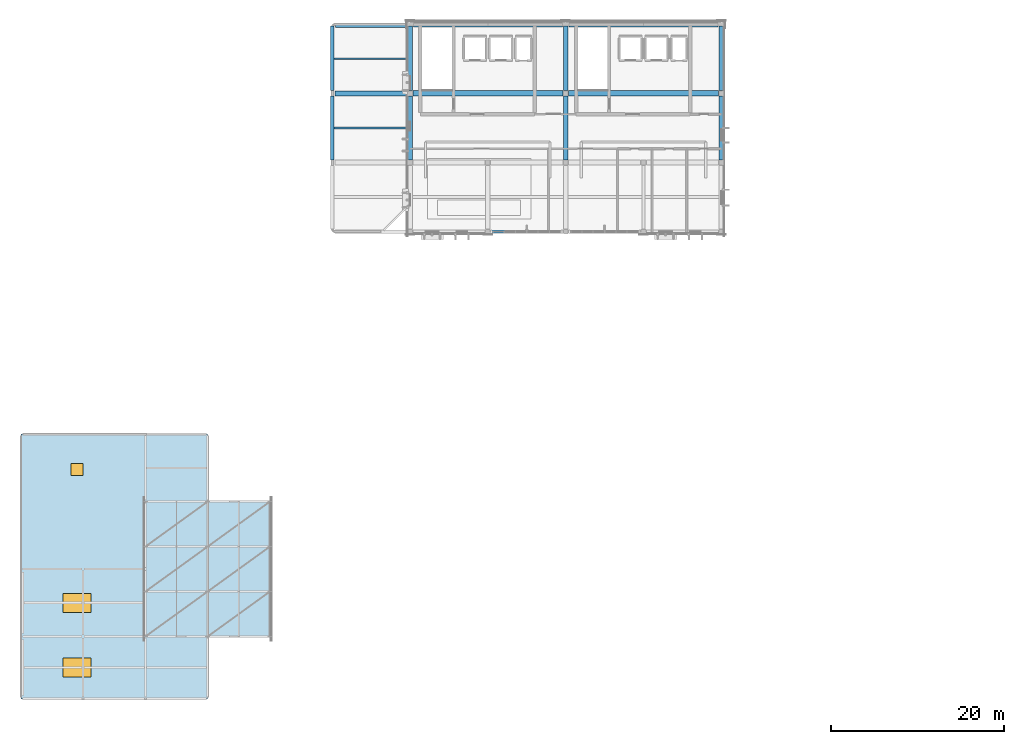
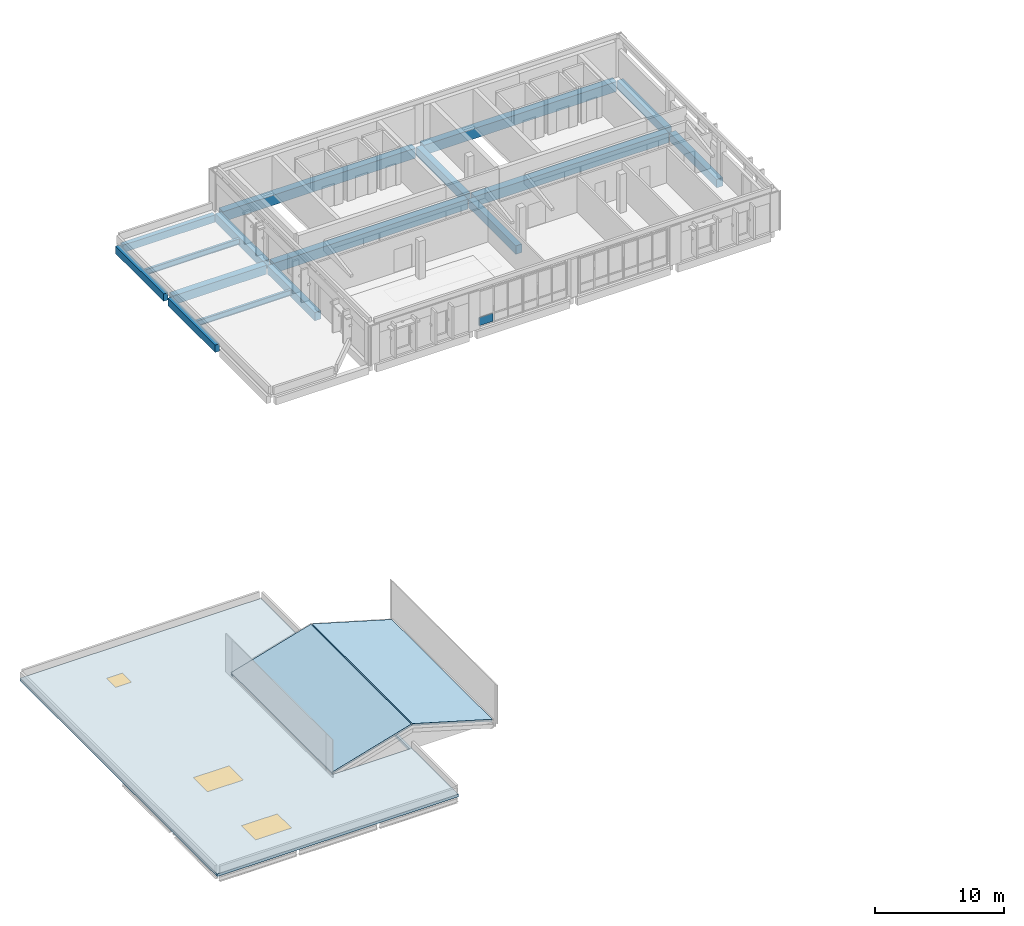
# One storey, part 3 of 12: 16 beams, 3 slabs, 3 windows, 1 plate, 3 openings, 1 element without a shape of its own.
"""IFC4 building model written with IfcOpenShell, lengths in metres."""

from ifc_helpers import new_model, si_unit, direction, frame, origin, origin_2d, place, context, subcontext, project, spatial, polyline, rectangle, i_section, outline, extrude, material, layer, layer_set, material_profile, profile_set, type_object, element, fill, aggregate, save


model = new_model("IFC4")

# Units and contexts
model_context = context("Model", 3, precision=1e-05, world=origin(), true_north=direction((0.0, 1.0)))
body_context = subcontext(model_context, "Body", "Model", "MODEL_VIEW")
ifc_project = project(units=[si_unit("LENGTHUNIT", "METRE"), si_unit("AREAUNIT", "SQUARE_METRE"), si_unit("VOLUMEUNIT", "CUBIC_METRE"), si_unit("PLANEANGLEUNIT", "RADIAN"), si_unit("MASSUNIT", "GRAM", prefix="KILO")], contexts=[model_context])

# Site, building, storey
site_placement = place(None, origin())
site = spatial("IfcSite", under=ifc_project, at=site_placement, CompositionType="ELEMENT")
building_placement = place(site_placement, origin())
building = spatial("IfcBuilding", under=site, at=building_placement, Name="Vervanel Yard Central Library", CompositionType="ELEMENT")
storey_placement = place(building_placement, frame((0.0, 0.0, 20.260009765625)))
storey = spatial("IfcBuildingStorey", under=building, at=storey_placement, Name="L05", CompositionType="ELEMENT", Elevation=20.260009765625)

# Beams
ifc_material_1 = material(Name="Concrete C45/55", Category="concrete")
ifc_material_profile_1 = material_profile(ifc_material_1, rectangle(XDim=0.64990234375, YDim=0.949951171875, at=origin_2d()), Name="RC 650x950", Category="concrete")
ifc_profile_set_1 = profile_set([ifc_material_profile_1], Name="Concrete C45/55")
beam_type_1 = type_object("IfcBeamType", Name="Concrete Heavy Stack Girder 650x950", PredefinedType="BEAM", material=ifc_profile_set_1)
for number, where, z_axis, x_axis, name in (
    (1, (45.324951171875, 106.0, -0.764892578125), (1.0, 0.0, 0.0), (0.0, 1.0, 0.0), "L05 Girder CB-04 Y=106.0 X=45.0-63.0"),
    (2, (63.324951171875, 106.0, -0.764892578125), (1.0, 0.0, 0.0), (0.0, 1.0, 0.0), "L05 Girder CB-04 Y=106.0 X=63.0-81.0"),
):
    element("IfcBeam", number, at=place(storey_placement, frame(where, z_axis=z_axis, x_axis=x_axis)), inside=storey, type_object=beam_type_1, Name=name, PredefinedType="BEAM", context=body_context, shape_type="SweptSolid", body=[
        extrude(rectangle(XDim=0.64990234375, YDim=0.949951171875, at=origin_2d()), origin(), (0.0, 0.0, 1.0), 17.35009765625),
    ])
for number, where, z_axis, x_axis, name in (
    (3, (45.375, 114.0, -0.764892578125), (1.0, 0.0, 0.0), (0.0, 1.0, 0.0), "L05 Girder CB-04 Y=114.0 X=45.0-63.0"),
    (4, (63.375, 114.0, -0.764892578125), (1.0, 0.0, 0.0), (0.0, 1.0, 0.0), "L05 Girder CB-04 Y=114.0 X=63.0-81.0"),
):
    element("IfcBeam", number, at=place(storey_placement, frame(where, z_axis=z_axis, x_axis=x_axis)), inside=storey, type_object=beam_type_1, Name=name, PredefinedType="BEAM", context=body_context, shape_type="SweptSolid", body=[
        extrude(rectangle(XDim=0.64990234375, YDim=0.949951171875, at=origin_2d()), origin(), (0.0, 0.0, 1.0), 17.25),
    ])
ifc_material_2 = material(Name="Concrete C40/50", Category="concrete")
ifc_material_profile_2 = material_profile(ifc_material_2, rectangle(XDim=0.39990234375, YDim=0.699951171875, at=origin_2d()), Name="RC 400x700", Category="concrete")
ifc_profile_set_2 = profile_set([ifc_material_profile_2], Name="Concrete C40/50")
beam_type_2 = type_object("IfcBeamType", Name="Concrete Perimeter Spandrel 400x700", PredefinedType="SPANDREL", material=ifc_profile_set_2)
beam_1_placement = place(storey_placement, frame((36.375, 113.800048828125, -0.60498046875), z_axis=(1.0, 0.0, 0.0), x_axis=(0.0, 1.0, 0.0)))
element("IfcBeam", 5, at=beam_1_placement, inside=storey, type_object=beam_type_2, Name="L05 Girder SP-01 Y=114.0 X=36.0-45.0", PredefinedType="SPANDREL", context=body_context, shape_type="SweptSolid", body=[
    extrude(rectangle(XDim=0.39990234375, YDim=0.699951171875, at=origin_2d()), origin(), (0.0, 0.0, 1.0), 8.25),
])
beam_2_placement = place(storey_placement, frame((36.0, 98.324951171875, -0.60498046875), z_axis=(0.0, 1.0, 0.0), x_axis=(-1.0, 0.0, 0.0)))
element("IfcBeam", 6, at=beam_2_placement, inside=storey, type_object=beam_type_2, Name="L05 Girder SP-01 X=36.0 Y=98.0-106.0", PredefinedType="SPANDREL", context=body_context, shape_type="SweptSolid", body=[
    extrude(rectangle(XDim=0.39990234375, YDim=0.699951171875, at=origin_2d()), origin(), (0.0, 0.0, 1.0), 7.35009765625),
])
beam_3_placement = place(storey_placement, frame((36.0, 106.324951171875, -0.60498046875), z_axis=(0.0, 1.0, 0.0), x_axis=(-1.0, 0.0, 0.0)))
element("IfcBeam", 7, at=beam_3_placement, inside=storey, type_object=beam_type_2, Name="L05 Girder SP-01 X=36.0 Y=106.0-114.0", PredefinedType="SPANDREL", context=body_context, shape_type="SweptSolid", body=[
    extrude(rectangle(XDim=0.39990234375, YDim=0.699951171875, at=origin_2d()), origin(), (0.0, 0.0, 1.0), 7.47509765625),
])
ifc_material_profile_3 = material_profile(ifc_material_2, rectangle(XDim=0.550048828125, YDim=0.800048828125, at=origin_2d()), Name="RC 550x800", Category="concrete")
ifc_profile_set_3 = profile_set([ifc_material_profile_3], Name="Concrete C40/50")
beam_type_3 = type_object("IfcBeamType", Name="Concrete Primary Girder 550x800", PredefinedType="BEAM", material=ifc_profile_set_3)
beam_4_placement = place(storey_placement, frame((45.0, 98.324951171875, -0.68994140625), z_axis=(0.0, 1.0, 0.0), x_axis=(-1.0, 0.0, 0.0)))
element("IfcBeam", 8, at=beam_4_placement, inside=storey, type_object=beam_type_3, Name="L05 Girder CB-02 X=45.0 Y=98.0-106.0", PredefinedType="BEAM", context=body_context, shape_type="SweptSolid", body=[
    extrude(rectangle(XDim=0.550048828125, YDim=0.800048828125, at=origin_2d()), origin(), (0.0, 0.0, 1.0), 7.35009765625),
])
beam_5_placement = place(storey_placement, frame((45.0, 106.324951171875, -0.68994140625), z_axis=(0.0, 1.0, 0.0), x_axis=(-1.0, 0.0, 0.0)))
element("IfcBeam", 9, at=beam_5_placement, inside=storey, type_object=beam_type_3, Name="L05 Girder CB-02 X=45.0 Y=106.0-114.0", PredefinedType="BEAM", context=body_context, shape_type="SweptSolid", body=[
    extrude(rectangle(XDim=0.550048828125, YDim=0.800048828125, at=origin_2d()), origin(), (0.0, 0.0, 1.0), 7.47509765625),
])
beam_6_placement = place(storey_placement, frame((63.0, 98.324951171875, -0.68994140625), z_axis=(0.0, 1.0, 0.0), x_axis=(-1.0, 0.0, 0.0)))
element("IfcBeam", 10, at=beam_6_placement, inside=storey, type_object=beam_type_3, Name="L05 Girder CB-02 X=63.0 Y=98.0-106.0", PredefinedType="BEAM", context=body_context, shape_type="SweptSolid", body=[
    extrude(rectangle(XDim=0.550048828125, YDim=0.800048828125, at=origin_2d()), origin(), (0.0, 0.0, 1.0), 7.35009765625),
])
beam_7_placement = place(storey_placement, frame((63.0, 106.324951171875, -0.68994140625), z_axis=(0.0, 1.0, 0.0), x_axis=(-1.0, 0.0, 0.0)))
element("IfcBeam", 11, at=beam_7_placement, inside=storey, type_object=beam_type_3, Name="L05 Girder CB-02 X=63.0 Y=106.0-114.0", PredefinedType="BEAM", context=body_context, shape_type="SweptSolid", body=[
    extrude(rectangle(XDim=0.550048828125, YDim=0.800048828125, at=origin_2d()), origin(), (0.0, 0.0, 1.0), 7.47509765625),
])
beam_8_placement = place(storey_placement, frame((81.0, 98.324951171875, -0.68994140625), z_axis=(0.0, 1.0, 0.0), x_axis=(-1.0, 0.0, 0.0)))
element("IfcBeam", 12, at=beam_8_placement, inside=storey, type_object=beam_type_3, Name="L05 Girder CB-02 X=81.0 Y=98.0-106.0", PredefinedType="BEAM", context=body_context, shape_type="SweptSolid", body=[
    extrude(rectangle(XDim=0.550048828125, YDim=0.800048828125, at=origin_2d()), origin(), (0.0, 0.0, 1.0), 7.35009765625),
])
beam_9_placement = place(storey_placement, frame((81.0, 106.324951171875, -0.68994140625), z_axis=(0.0, 1.0, 0.0), x_axis=(-1.0, 0.0, 0.0)))
element("IfcBeam", 13, at=beam_9_placement, inside=storey, type_object=beam_type_3, Name="L05 Girder CB-02 X=81.0 Y=106.0-114.0", PredefinedType="BEAM", context=body_context, shape_type="SweptSolid", body=[
    extrude(rectangle(XDim=0.550048828125, YDim=0.800048828125, at=origin_2d()), origin(), (0.0, 0.0, 1.0), 7.47509765625),
])
ifc_material_profile_4 = material_profile(ifc_material_1, rectangle(XDim=0.60009765625, YDim=0.85009765625, at=origin_2d()), Name="RC 600x850", Category="concrete")
ifc_profile_set_4 = profile_set([ifc_material_profile_4], Name="Concrete C45/55")
beam_type_4 = type_object("IfcBeamType", Name="Concrete Stack Girder 600x850", PredefinedType="BEAM", material=ifc_profile_set_4)
beam_10_placement = place(storey_placement, frame((36.324951171875, 106.0, -0.679931640625), z_axis=(1.0, 0.0, 0.0), x_axis=(0.0, 1.0, 0.0)))
element("IfcBeam", 14, at=beam_10_placement, inside=storey, type_object=beam_type_4, Name="L05 Girder CB-03 Y=106.0 X=36.0-45.0", PredefinedType="BEAM", context=body_context, shape_type="SweptSolid", body=[
    extrude(rectangle(XDim=0.60009765625, YDim=0.85009765625, at=origin_2d()), origin(), (0.0, 0.0, 1.0), 8.35009765625),
])
ifc_material_3 = material(Name="Steel ASTM A992 Grade 50", Category="steel")
ifc_material_profile_5 = material_profile(ifc_material_3, i_section(OverallWidth=0.2099609375, OverallDepth=0.535888671875, WebThickness=0.010986328125, FlangeThickness=0.017333984375, at=origin_2d()), Name="W21X68", Category="steel")
ifc_profile_set_5 = profile_set([ifc_material_profile_5], Name="Steel ASTM A992 Grade 50")
beam_type_5 = type_object("IfcBeamType", Name="Steel Stack Floor Joist W21X68", PredefinedType="JOIST", material=ifc_profile_set_5)
for number, where, z_axis, x_axis, name in (
    (15, (36.199951171875, 102.0, -0.557861328125), (1.0, 0.0, 0.0), (0.0, 1.0, 0.0), "L05 Floor Joist SJ-04 Y=102.00 X=36.0-45.0"),
    (16, (36.199951171875, 110.0, -0.557861328125), (1.0, 0.0, 0.0), (0.0, 1.0, 0.0), "L05 Floor Joist SJ-04 Y=110.00 X=36.0-45.0"),
):
    element("IfcBeam", number, at=place(storey_placement, frame(where, z_axis=z_axis, x_axis=x_axis)), inside=storey, type_object=beam_type_5, Name=name, PredefinedType="JOIST", context=body_context, shape_type="SweptSolid", body=[
        extrude(i_section(OverallWidth=0.2099609375, OverallDepth=0.535888671875, WebThickness=0.010986328125, FlangeThickness=0.017333984375, at=origin_2d()), origin(), (0.0, 0.0, 1.0), 8.525146484375),
    ])

# Slabs
ifc_layer_1 = layer(ifc_material_1, 0.18505859375, Category="concrete")
ifc_layer_set_1 = layer_set([ifc_layer_1], Name="Concrete C45/55")
slab_type_1 = type_object("IfcSlabType", Name="Atrium Monitor Sloped Roof Deck 185", PredefinedType="ROOF", material=ifc_layer_set_1)
for number, where, z_axis, x_axis, name in (
    (17, (14.39990234375, 43.199951171875, 0.199951171875), (-0.27969492143, 0.0, 0.960088928655), (0.960088928655, 0.0, 0.27969492143), "L05 V2 Atrium Monitor Sloped Roof Deck 185 V2-ATRIUM-MON-W"),
    (18, (21.659912109375, 43.199951171875, 2.280029296875), (0.27969492143, 0.0, 0.960088928655), (0.960088928655, 0.0, -0.27969492143), "L05 V2 Atrium Monitor Sloped Roof Deck 185 V2-ATRIUM-MON-E"),
):
    element("IfcSlab", number, at=place(storey_placement, frame(where, z_axis=z_axis, x_axis=x_axis)), inside=storey, type_object=slab_type_1, Name=name, PredefinedType="ROOF", context=body_context, shape_type="SweptSolid", body=[
        extrude(outline(polyline([(0.0, 0.0), (7.436953500496392, 0.0), (7.436953500496392, 15.60009765625), (0.0, 15.60009765625), (0.0, 0.0)])), origin(), (0.0, 0.0, -1.0), 0.18505859375),
    ])

# Curtain wall, plate
ifc_material_4 = material(Name="Thermally broken anodized aluminium 6063-T6", Category="aluminium")
curtain_wall_type = type_object("IfcCurtainWallType", Name="Atrium Courtyard Curtain Wall", PredefinedType="NOTDEFINED", material=ifc_material_4)
curtain_wall_placement = place(storey_placement, origin())
curtain_wall = element("IfcCurtainWall", 19, at=curtain_wall_placement, inside=storey, type_object=curtain_wall_type, Name="L05 Atrium Courtyard Curtain Wall CWR-L05-013", PredefinedType="NOTDEFINED")
ifc_material_5 = material(Name="Insulated bronze aluminium spandrel panel", Category="aluminium")
ifc_layer_2 = layer(ifc_material_5, 0.080078125, Category="aluminium")
ifc_layer_set_2 = layer_set([ifc_layer_2], Name="Insulated bronze aluminium spandrel panel")
plate_type = type_object("IfcPlateType", Name="Insulated Bronze Spandrel Panel 80", PredefinedType="CURTAIN_PANEL", material=ifc_layer_set_2)
plate_placement = place(storey_placement, frame((55.23828125, 90.0, 0.06494140625), z_axis=(0.0, 0.0, 1.0), x_axis=(1.0, 0.0, 0.0)))
plate = element("IfcPlate", 20, at=plate_placement, type_object=plate_type, Name="CWR-L05-013 Panel B1-1", PredefinedType="CURTAIN_PANEL", context=body_context, shape_type="SweptSolid", body=[
    extrude(rectangle(XDim=1.2265625, YDim=0.080078125, at=origin_2d()), origin(), (0.0, 0.0, 1.0), 0.75244140625),
])
aggregate(curtain_wall, [plate])

# Slab, openings, windows
ifc_layer_3 = layer(ifc_material_2, 0.260009765625, Category="concrete")
ifc_layer_set_3 = layer_set([ifc_layer_3], Name="Concrete C40/50")
slab_type_2 = type_object("IfcSlabType", Name="Reading Annex Roof Slab 260", PredefinedType="ROOF", material=ifc_layer_set_3)
slab_placement = place(storey_placement, frame((0.0, 0.0, -0.260009765625)))
slab = element("IfcSlab", 21, at=slab_placement, inside=storey, type_object=slab_type_2, Name="L05 V2 Reading Annex Roof Slab 260", PredefinedType="ROOF", context=body_context, shape_type="SweptSolid", body=[
    extrude(outline(polyline([(0.0, 36.0), (21.60009765625, 36.0), (21.60009765625, 66.60009765625), (0.0, 66.60009765625), (0.0, 36.0)]), holes=[polyline([(14.39990234375, 43.199951171875), (21.39990234375, 43.199951171875), (21.39990234375, 58.800048828125), (14.39990234375, 58.800048828125), (14.39990234375, 43.199951171875)])]), origin(), (0.0, 0.0, 1.0), 0.260009765625),
])
opening_1_placement = place(slab_placement, frame((6.5, 39.60009765625, 0.0)))
opening_1 = element("IfcOpeningElement", 22, at=opening_1_placement, cuts=slab, Name="Opening SK-02", PredefinedType="OPENING", context=body_context, shape_type="SweptSolid", body=[
    extrude(rectangle(XDim=3.199951171875, YDim=2.199951171875, at=origin_2d()), frame((0.0, 0.0, -0.010009765625)), (0.0, 0.0, 1.0), 0.280029296875),
])
opening_2_placement = place(slab_placement, frame((6.5, 47.10009765625, 0.0)))
opening_2 = element("IfcOpeningElement", 23, at=opening_2_placement, cuts=slab, Name="Opening SK-02", PredefinedType="OPENING", context=body_context, shape_type="SweptSolid", body=[
    extrude(rectangle(XDim=3.199951171875, YDim=2.199951171875, at=origin_2d()), frame((0.0, 0.0, -0.010009765625)), (0.0, 0.0, 1.0), 0.280029296875),
])
opening_3_placement = place(slab_placement, frame((6.5, 62.5, 0.0)))
opening_3 = element("IfcOpeningElement", 24, at=opening_3_placement, cuts=slab, Name="Opening SK-03", PredefinedType="OPENING", context=body_context, shape_type="SweptSolid", body=[
    extrude(rectangle(XDim=1.39990234375, YDim=1.39990234375, at=origin_2d()), frame((0.0, 0.0, -0.010009765625)), (0.0, 0.0, 1.0), 0.280029296875),
])
ifc_material_6 = material(Name="Double low-E laminated solar-control glass", Category="glass")
window_type_1 = type_object("IfcWindowType", Name="Atrium Monitor Roof Skylight 3200x2200", PartitioningType="SINGLE_PANEL", PredefinedType="SKYLIGHT", material=ifc_material_6)
window_1_placement = place(opening_1_placement, frame((0.0, 0.0, 0.199951171875)))
window_1 = element("IfcWindow", 25, at=window_1_placement, inside=storey, type_object=window_type_1, Name="L05 Atrium Monitor Roof Skylight 3200x2200 5", OverallHeight=2.199951171875, OverallWidth=3.199951171875, PartitioningType="SINGLE_PANEL", PredefinedType="SKYLIGHT", context=body_context, shape_type="SweptSolid", body=[
    extrude(rectangle(XDim=3.199951171875, YDim=2.199951171875, at=origin_2d()), origin(), (0.0, 0.0, 1.0), 0.06005859375),
])
fill(opening_1, window_1)
window_2_placement = place(opening_2_placement, frame((0.0, 0.0, 0.199951171875)))
window_2 = element("IfcWindow", 26, at=window_2_placement, inside=storey, type_object=window_type_1, Name="L05 Atrium Monitor Roof Skylight 3200x2200 6", OverallHeight=2.199951171875, OverallWidth=3.199951171875, PartitioningType="SINGLE_PANEL", PredefinedType="SKYLIGHT", context=body_context, shape_type="SweptSolid", body=[
    extrude(rectangle(XDim=3.199951171875, YDim=2.199951171875, at=origin_2d()), origin(), (0.0, 0.0, 1.0), 0.06005859375),
])
fill(opening_2, window_2)
window_type_2 = type_object("IfcWindowType", Name="Smoke-Vent Roof Access Hatch Skylight 1400x1400", PartitioningType="SINGLE_PANEL", PredefinedType="SKYLIGHT", material=ifc_material_6)
window_3_placement = place(opening_3_placement, frame((0.0, 0.0, 0.199951171875)))
window_3 = element("IfcWindow", 27, at=window_3_placement, inside=storey, type_object=window_type_2, Name="L05 Smoke-Vent Roof Access Hatch Skylight 1400x1400 7", OverallHeight=1.39990234375, OverallWidth=1.39990234375, PartitioningType="SINGLE_PANEL", PredefinedType="SKYLIGHT", context=body_context, shape_type="SweptSolid", body=[
    extrude(rectangle(XDim=1.39990234375, YDim=1.39990234375, at=origin_2d()), origin(), (0.0, 0.0, 1.0), 0.06005859375),
])
fill(opening_3, window_3)

save(model, "model.ifc")
